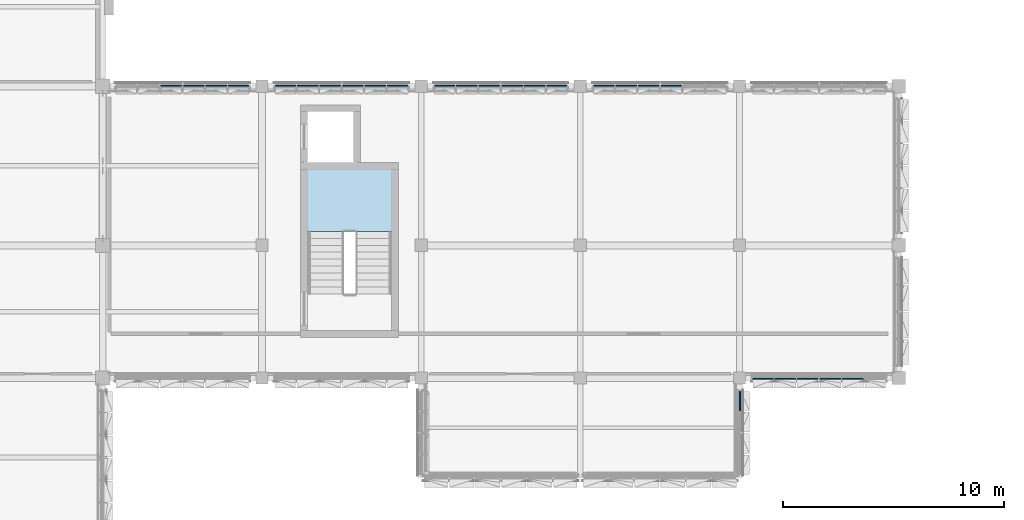
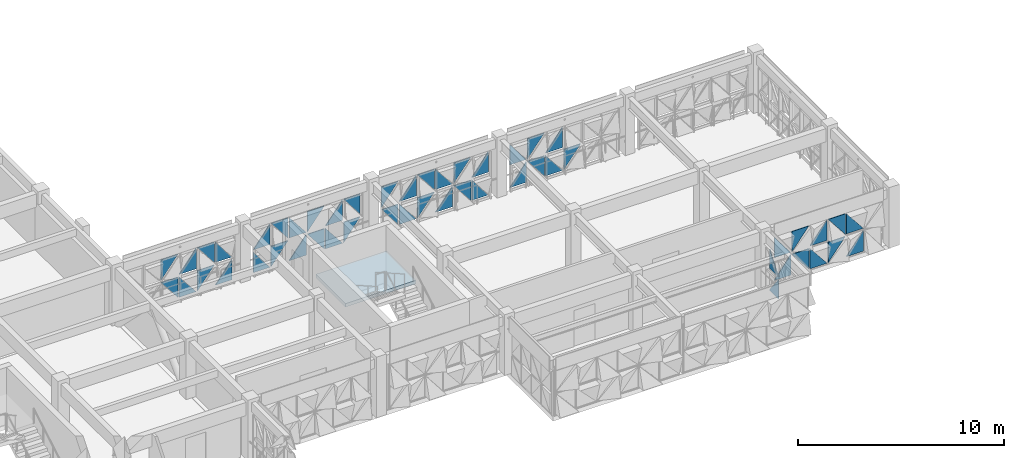
# One storey, part 36 of 85: 51 plates, 1 slab, 7 elements without a shape of their own.
"""IFC4 building model written with IfcOpenShell, lengths in metres."""

from ifc_helpers import new_model, si_unit, direction, frame, origin, place, context, subcontext, project, spatial, polyline, outline, extrude, material, layer, layer_set, type_object, element, aggregate, save


model = new_model("IFC4")

# Units and contexts
model_context = context("Model", 3, precision=1e-05, world=origin(), true_north=direction((0.0, 1.0)))
body_context = subcontext(model_context, "Body", "Model", "MODEL_VIEW")
ifc_project = project(units=[si_unit("LENGTHUNIT", "METRE"), si_unit("AREAUNIT", "SQUARE_METRE"), si_unit("VOLUMEUNIT", "CUBIC_METRE"), si_unit("PLANEANGLEUNIT", "RADIAN"), si_unit("MASSUNIT", "GRAM", prefix="KILO")], contexts=[model_context])

# Site, building, storey
site_placement = place(None, origin())
site = spatial("IfcSite", under=ifc_project, at=site_placement, CompositionType="ELEMENT")
building_placement = place(site_placement, origin())
building = spatial("IfcBuilding", under=site, at=building_placement, Name="Alvorim Cloister Faculty of Sciences", CompositionType="ELEMENT")
storey_placement = place(building_placement, frame((0.0, 0.0, 8.550048828125)))
storey = spatial("IfcBuildingStorey", under=building, at=storey_placement, Name="L02", CompositionType="ELEMENT", Elevation=8.550048828125)

# Curtain wall, plates
ifc_material_1 = material(Name="Aluminium and Low-E Glass Curtain Wall", Category="aluminium")
curtain_wall_type_1 = type_object("IfcCurtainWallType", Name="CW-TRI-6120x2850", PredefinedType="USERDEFINED", material=ifc_material_1)
curtain_wall_1_placement = place(storey_placement, origin())
curtain_wall_1 = element("IfcCurtainWall", 1, at=curtain_wall_1_placement, inside=storey, type_object=curtain_wall_type_1, Name="L02 Diagonal Cassette Curtain Wall CW-0056", ObjectType="UNITISED CURTAIN WALL", PredefinedType="USERDEFINED")
ifc_material_2 = material(Name="Double Low-E Laminated Glass", Category="glass")
ifc_layer_1 = layer(ifc_material_2, 0.0400390625)
ifc_layer_set_1 = layer_set([ifc_layer_1], Name="Double Low-E Laminated Glass")
plate_type = type_object("IfcPlateType", Name="PN-GLZ-40", PredefinedType="CURTAIN_PANEL", material=ifc_layer_set_1)
plate_1_placement = place(storey_placement, frame((31.41259765625, 56.425048828125, 0.139892578125), z_axis=(0.0, 0.0, 1.0), x_axis=(1.0, 0.0, 0.0)))
plate_1 = element("IfcPlate", 2, at=plate_1_placement, type_object=plate_type, Name="Diagonal Glazed Triangle TRI-TR", PredefinedType="CURTAIN_PANEL", context=body_context, shape_type="SweptSolid", body=[
    extrude(outline(polyline([(0.955078125, 0.001953125), (0.955078125, 1.215087890625), (0.001953125, 1.215087890625), (0.955078125, 0.001953125)])), frame((0.0, 0.02490234375, 0.0), z_axis=(0.0, -1.0, 0.0), x_axis=(1.0, 0.0, 0.0)), (0.0, 0.0, 1.0), 0.050048828125),
])
plate_2_placement = place(storey_placement, frame((31.41259765625, 56.425048828125, 1.494873046875), z_axis=(0.0, 0.0, 1.0), x_axis=(1.0, 0.0, 0.0)))
plate_2 = element("IfcPlate", 3, at=plate_2_placement, type_object=plate_type, Name="Diagonal Glazed Triangle TRI-TL", PredefinedType="CURTAIN_PANEL", context=body_context, shape_type="SweptSolid", body=[
    extrude(outline(polyline([(0.953125, 1.215087890625), (0.0, 1.215087890625), (0.0, 0.001953125), (0.953125, 1.215087890625)])), frame((0.0, 0.02490234375, 0.0), z_axis=(0.0, -1.0, 0.0), x_axis=(1.0, 0.0, 0.0)), (0.0, 0.0, 1.0), 0.050048828125),
])
plate_3_placement = place(storey_placement, frame((32.4326171875, 56.425048828125, 0.139892578125), z_axis=(0.0, 0.0, 1.0), x_axis=(1.0, 0.0, 0.0)))
plate_3 = element("IfcPlate", 4, at=plate_3_placement, type_object=plate_type, Name="Diagonal Glazed Triangle TRI-BL", PredefinedType="CURTAIN_PANEL", context=body_context, shape_type="SweptSolid", body=[
    extrude(outline(polyline([(0.0, 0.0), (0.953125, 0.0), (0.0, 1.213134765625), (0.0, 0.0)])), frame((0.0, 0.02490234375, 0.0), z_axis=(0.0, -1.0, 0.0), x_axis=(1.0, 0.0, 0.0)), (0.0, 0.0, 1.0), 0.050048828125),
])
plate_4_placement = place(storey_placement, frame((32.4326171875, 56.425048828125, 1.494873046875), z_axis=(0.0, 0.0, 1.0), x_axis=(1.0, 0.0, 0.0)))
plate_4 = element("IfcPlate", 5, at=plate_4_placement, type_object=plate_type, Name="Diagonal Glazed Triangle TRI-BR", PredefinedType="CURTAIN_PANEL", context=body_context, shape_type="SweptSolid", body=[
    extrude(outline(polyline([(0.001953125, 0.0), (0.955078125, 0.0), (0.955078125, 1.213134765625), (0.001953125, 0.0)])), frame((0.0, 0.02490234375, 0.0), z_axis=(0.0, -1.0, 0.0), x_axis=(1.0, 0.0, 0.0)), (0.0, 0.0, 1.0), 0.050048828125),
])
plate_5_placement = place(storey_placement, frame((33.452392578125, 56.425048828125, 0.139892578125), z_axis=(0.0, 0.0, 1.0), x_axis=(1.0, 0.0, 0.0)))
plate_5 = element("IfcPlate", 6, at=plate_5_placement, type_object=plate_type, Name="Diagonal Glazed Triangle TRI-TL", PredefinedType="CURTAIN_PANEL", context=body_context, shape_type="SweptSolid", body=[
    extrude(outline(polyline([(0.953125, 1.215087890625), (0.0, 1.215087890625), (0.0, 0.001953125), (0.953125, 1.215087890625)])), frame((0.0, 0.02490234375, 0.0), z_axis=(0.0, -1.0, 0.0), x_axis=(1.0, 0.0, 0.0)), (0.0, 0.0, 1.0), 0.050048828125),
])
plate_6_placement = place(storey_placement, frame((33.452392578125, 56.425048828125, 1.494873046875), z_axis=(0.0, 0.0, 1.0), x_axis=(1.0, 0.0, 0.0)))
plate_6 = element("IfcPlate", 7, at=plate_6_placement, type_object=plate_type, Name="Diagonal Glazed Triangle TRI-TR", PredefinedType="CURTAIN_PANEL", context=body_context, shape_type="SweptSolid", body=[
    extrude(outline(polyline([(0.955078125, 0.001953125), (0.955078125, 1.215087890625), (0.001953125, 1.215087890625), (0.955078125, 0.001953125)])), frame((0.0, 0.02490234375, 0.0), z_axis=(0.0, -1.0, 0.0), x_axis=(1.0, 0.0, 0.0)), (0.0, 0.0, 1.0), 0.050048828125),
])
plate_7_placement = place(storey_placement, frame((34.472412109375, 56.425048828125, 0.139892578125), z_axis=(0.0, 0.0, 1.0), x_axis=(1.0, 0.0, 0.0)))
plate_7 = element("IfcPlate", 8, at=plate_7_placement, type_object=plate_type, Name="Diagonal Glazed Triangle TRI-BR", PredefinedType="CURTAIN_PANEL", context=body_context, shape_type="SweptSolid", body=[
    extrude(outline(polyline([(0.001953125, 0.0), (0.922607421875, 0.0), (0.922607421875, 1.213134765625), (0.001953125, 0.0)])), frame((0.0, 0.02490234375, 0.0), z_axis=(0.0, -1.0, 0.0), x_axis=(1.0, 0.0, 0.0)), (0.0, 0.0, 1.0), 0.050048828125),
])
plate_8_placement = place(storey_placement, frame((34.472412109375, 56.425048828125, 1.494873046875), z_axis=(0.0, 0.0, 1.0), x_axis=(1.0, 0.0, 0.0)))
plate_8 = element("IfcPlate", 9, at=plate_8_placement, type_object=plate_type, Name="Diagonal Glazed Triangle TRI-BL", PredefinedType="CURTAIN_PANEL", context=body_context, shape_type="SweptSolid", body=[
    extrude(outline(polyline([(0.0, 0.0), (0.920654296875, 0.0), (0.0, 1.213134765625), (0.0, 0.0)])), frame((0.0, 0.02490234375, 0.0), z_axis=(0.0, -1.0, 0.0), x_axis=(1.0, 0.0, 0.0)), (0.0, 0.0, 1.0), 0.050048828125),
])
aggregate(curtain_wall_1, [plate_1, plate_2, plate_3, plate_4, plate_5, plate_6, plate_7, plate_8])

curtain_wall_2_placement = place(storey_placement, origin())
curtain_wall_2 = element("IfcCurtainWall", 10, at=curtain_wall_2_placement, inside=storey, type_object=curtain_wall_type_1, Name="L02 Diagonal Cassette Curtain Wall CW-0057", ObjectType="UNITISED CURTAIN WALL", PredefinedType="USERDEFINED")
plate_9_placement = place(storey_placement, frame((36.60498046875, 56.425048828125, 0.139892578125), z_axis=(0.0, 0.0, 1.0), x_axis=(1.0, 0.0, 0.0)))
plate_9 = element("IfcPlate", 11, at=plate_9_placement, type_object=plate_type, Name="Diagonal Glazed Triangle TRI-BL", PredefinedType="CURTAIN_PANEL", context=body_context, shape_type="SweptSolid", body=[
    extrude(outline(polyline([(0.0, 0.0), (0.920654296875, 0.0), (0.0, 1.213134765625), (0.0, 0.0)])), frame((0.0, 0.02490234375, 0.0), z_axis=(0.0, -1.0, 0.0), x_axis=(1.0, 0.0, 0.0)), (0.0, 0.0, 1.0), 0.050048828125),
])
plate_10_placement = place(storey_placement, frame((36.60498046875, 56.425048828125, 1.494873046875), z_axis=(0.0, 0.0, 1.0), x_axis=(1.0, 0.0, 0.0)))
plate_10 = element("IfcPlate", 12, at=plate_10_placement, type_object=plate_type, Name="Diagonal Glazed Triangle TRI-BR", PredefinedType="CURTAIN_PANEL", context=body_context, shape_type="SweptSolid", body=[
    extrude(outline(polyline([(0.001953125, 0.0), (0.922607421875, 0.0), (0.922607421875, 1.213134765625), (0.001953125, 0.0)])), frame((0.0, 0.02490234375, 0.0), z_axis=(0.0, -1.0, 0.0), x_axis=(1.0, 0.0, 0.0)), (0.0, 0.0, 1.0), 0.050048828125),
])
plate_11_placement = place(storey_placement, frame((37.592529296875, 56.425048828125, 0.139892578125), z_axis=(0.0, 0.0, 1.0), x_axis=(1.0, 0.0, 0.0)))
plate_11 = element("IfcPlate", 13, at=plate_11_placement, type_object=plate_type, Name="Diagonal Glazed Triangle TRI-TL", PredefinedType="CURTAIN_PANEL", context=body_context, shape_type="SweptSolid", body=[
    extrude(outline(polyline([(0.953125, 1.215087890625), (0.0, 1.215087890625), (0.0, 0.001953125), (0.953125, 1.215087890625)])), frame((0.0, 0.02490234375, 0.0), z_axis=(0.0, -1.0, 0.0), x_axis=(1.0, 0.0, 0.0)), (0.0, 0.0, 1.0), 0.050048828125),
])
plate_12_placement = place(storey_placement, frame((37.592529296875, 56.425048828125, 1.494873046875), z_axis=(0.0, 0.0, 1.0), x_axis=(1.0, 0.0, 0.0)))
plate_12 = element("IfcPlate", 14, at=plate_12_placement, type_object=plate_type, Name="Diagonal Glazed Triangle TRI-TR", PredefinedType="CURTAIN_PANEL", context=body_context, shape_type="SweptSolid", body=[
    extrude(outline(polyline([(0.955078125, 0.001953125), (0.955078125, 1.215087890625), (0.001953125, 1.215087890625), (0.955078125, 0.001953125)])), frame((0.0, 0.02490234375, 0.0), z_axis=(0.0, -1.0, 0.0), x_axis=(1.0, 0.0, 0.0)), (0.0, 0.0, 1.0), 0.050048828125),
])
plate_13_placement = place(storey_placement, frame((38.612548828125, 56.425048828125, 0.139892578125), z_axis=(0.0, 0.0, 1.0), x_axis=(1.0, 0.0, 0.0)))
plate_13 = element("IfcPlate", 15, at=plate_13_placement, type_object=plate_type, Name="Diagonal Glazed Triangle TRI-BR", PredefinedType="CURTAIN_PANEL", context=body_context, shape_type="SweptSolid", body=[
    extrude(outline(polyline([(0.001953125, 0.0), (0.955078125, 0.0), (0.955078125, 1.213134765625), (0.001953125, 0.0)])), frame((0.0, 0.02490234375, 0.0), z_axis=(0.0, -1.0, 0.0), x_axis=(1.0, 0.0, 0.0)), (0.0, 0.0, 1.0), 0.050048828125),
])
plate_14_placement = place(storey_placement, frame((38.612548828125, 56.425048828125, 1.494873046875), z_axis=(0.0, 0.0, 1.0), x_axis=(1.0, 0.0, 0.0)))
plate_14 = element("IfcPlate", 16, at=plate_14_placement, type_object=plate_type, Name="Diagonal Glazed Triangle TRI-BL", PredefinedType="CURTAIN_PANEL", context=body_context, shape_type="SweptSolid", body=[
    extrude(outline(polyline([(0.0, 0.0), (0.953125, 0.0), (0.0, 1.213134765625), (0.0, 0.0)])), frame((0.0, 0.02490234375, 0.0), z_axis=(0.0, -1.0, 0.0), x_axis=(1.0, 0.0, 0.0)), (0.0, 0.0, 1.0), 0.050048828125),
])
plate_15_placement = place(storey_placement, frame((39.632568359375, 56.425048828125, 0.139892578125), z_axis=(0.0, 0.0, 1.0), x_axis=(1.0, 0.0, 0.0)))
plate_15 = element("IfcPlate", 17, at=plate_15_placement, type_object=plate_type, Name="Diagonal Glazed Triangle TRI-TR", PredefinedType="CURTAIN_PANEL", context=body_context, shape_type="SweptSolid", body=[
    extrude(outline(polyline([(0.955078125, 0.001953125), (0.955078125, 1.215087890625), (0.001953125, 1.215087890625), (0.955078125, 0.001953125)])), frame((0.0, 0.02490234375, 0.0), z_axis=(0.0, -1.0, 0.0), x_axis=(1.0, 0.0, 0.0)), (0.0, 0.0, 1.0), 0.050048828125),
])
plate_16_placement = place(storey_placement, frame((39.632568359375, 56.425048828125, 1.494873046875), z_axis=(0.0, 0.0, 1.0), x_axis=(1.0, 0.0, 0.0)))
plate_16 = element("IfcPlate", 18, at=plate_16_placement, type_object=plate_type, Name="Diagonal Glazed Triangle TRI-TL", PredefinedType="CURTAIN_PANEL", context=body_context, shape_type="SweptSolid", body=[
    extrude(outline(polyline([(0.953125, 1.215087890625), (0.0, 1.215087890625), (0.0, 0.001953125), (0.953125, 1.215087890625)])), frame((0.0, 0.02490234375, 0.0), z_axis=(0.0, -1.0, 0.0), x_axis=(1.0, 0.0, 0.0)), (0.0, 0.0, 1.0), 0.050048828125),
])
plate_17_placement = place(storey_placement, frame((40.652587890625, 56.425048828125, 0.139892578125), z_axis=(0.0, 0.0, 1.0), x_axis=(1.0, 0.0, 0.0)))
plate_17 = element("IfcPlate", 19, at=plate_17_placement, type_object=plate_type, Name="Diagonal Glazed Triangle TRI-BL", PredefinedType="CURTAIN_PANEL", context=body_context, shape_type="SweptSolid", body=[
    extrude(outline(polyline([(0.0, 0.0), (0.953125, 0.0), (0.0, 1.213134765625), (0.0, 0.0)])), frame((0.0, 0.02490234375, 0.0), z_axis=(0.0, -1.0, 0.0), x_axis=(1.0, 0.0, 0.0)), (0.0, 0.0, 1.0), 0.050048828125),
])
plate_18_placement = place(storey_placement, frame((40.652587890625, 56.425048828125, 1.494873046875), z_axis=(0.0, 0.0, 1.0), x_axis=(1.0, 0.0, 0.0)))
plate_18 = element("IfcPlate", 20, at=plate_18_placement, type_object=plate_type, Name="Diagonal Glazed Triangle TRI-BR", PredefinedType="CURTAIN_PANEL", context=body_context, shape_type="SweptSolid", body=[
    extrude(outline(polyline([(0.001953125, 0.0), (0.955078125, 0.0), (0.955078125, 1.213134765625), (0.001953125, 0.0)])), frame((0.0, 0.02490234375, 0.0), z_axis=(0.0, -1.0, 0.0), x_axis=(1.0, 0.0, 0.0)), (0.0, 0.0, 1.0), 0.050048828125),
])
plate_19_placement = place(storey_placement, frame((41.672607421875, 56.425048828125, 0.139892578125), z_axis=(0.0, 0.0, 1.0), x_axis=(1.0, 0.0, 0.0)))
plate_19 = element("IfcPlate", 21, at=plate_19_placement, type_object=plate_type, Name="Diagonal Glazed Triangle TRI-TL", PredefinedType="CURTAIN_PANEL", context=body_context, shape_type="SweptSolid", body=[
    extrude(outline(polyline([(0.920654296875, 1.215087890625), (0.0, 1.215087890625), (0.0, 0.001953125), (0.920654296875, 1.215087890625)])), frame((0.0, 0.02490234375, 0.0), z_axis=(0.0, -1.0, 0.0), x_axis=(1.0, 0.0, 0.0)), (0.0, 0.0, 1.0), 0.050048828125),
])
plate_20_placement = place(storey_placement, frame((41.672607421875, 56.425048828125, 1.494873046875), z_axis=(0.0, 0.0, 1.0), x_axis=(1.0, 0.0, 0.0)))
plate_20 = element("IfcPlate", 22, at=plate_20_placement, type_object=plate_type, Name="Diagonal Glazed Triangle TRI-TR", PredefinedType="CURTAIN_PANEL", context=body_context, shape_type="SweptSolid", body=[
    extrude(outline(polyline([(0.922607421875, 0.001953125), (0.922607421875, 1.215087890625), (0.001953125, 1.215087890625), (0.922607421875, 0.001953125)])), frame((0.0, 0.02490234375, 0.0), z_axis=(0.0, -1.0, 0.0), x_axis=(1.0, 0.0, 0.0)), (0.0, 0.0, 1.0), 0.050048828125),
])
aggregate(curtain_wall_2, [plate_9, plate_10, plate_11, plate_12, plate_13, plate_14, plate_15, plate_16, plate_17, plate_18, plate_19, plate_20])

curtain_wall_3_placement = place(storey_placement, origin())
curtain_wall_3 = element("IfcCurtainWall", 23, at=curtain_wall_3_placement, inside=storey, type_object=curtain_wall_type_1, Name="L02 Diagonal Cassette Curtain Wall CW-0058", ObjectType="UNITISED CURTAIN WALL", PredefinedType="USERDEFINED")
plate_21_placement = place(storey_placement, frame((43.804931640625, 56.425048828125, 0.139892578125), z_axis=(0.0, 0.0, 1.0), x_axis=(1.0, 0.0, 0.0)))
plate_21 = element("IfcPlate", 24, at=plate_21_placement, type_object=plate_type, Name="Diagonal Glazed Triangle TRI-TR", PredefinedType="CURTAIN_PANEL", context=body_context, shape_type="SweptSolid", body=[
    extrude(outline(polyline([(0.922607421875, 0.001953125), (0.922607421875, 1.215087890625), (0.001953125, 1.215087890625), (0.922607421875, 0.001953125)])), frame((0.0, 0.02490234375, 0.0), z_axis=(0.0, -1.0, 0.0), x_axis=(1.0, 0.0, 0.0)), (0.0, 0.0, 1.0), 0.050048828125),
])
plate_22_placement = place(storey_placement, frame((43.804931640625, 56.425048828125, 1.494873046875), z_axis=(0.0, 0.0, 1.0), x_axis=(1.0, 0.0, 0.0)))
plate_22 = element("IfcPlate", 25, at=plate_22_placement, type_object=plate_type, Name="Diagonal Glazed Triangle TRI-TL", PredefinedType="CURTAIN_PANEL", context=body_context, shape_type="SweptSolid", body=[
    extrude(outline(polyline([(0.920654296875, 1.215087890625), (0.0, 1.215087890625), (0.0, 0.001953125), (0.920654296875, 1.215087890625)])), frame((0.0, 0.02490234375, 0.0), z_axis=(0.0, -1.0, 0.0), x_axis=(1.0, 0.0, 0.0)), (0.0, 0.0, 1.0), 0.050048828125),
])
plate_23_placement = place(storey_placement, frame((44.79248046875, 56.425048828125, 0.139892578125), z_axis=(0.0, 0.0, 1.0), x_axis=(1.0, 0.0, 0.0)))
plate_23 = element("IfcPlate", 26, at=plate_23_placement, type_object=plate_type, Name="Diagonal Glazed Triangle TRI-BL", PredefinedType="CURTAIN_PANEL", context=body_context, shape_type="SweptSolid", body=[
    extrude(outline(polyline([(0.0, 0.0), (0.953125, 0.0), (0.0, 1.213134765625), (0.0, 0.0)])), frame((0.0, 0.02490234375, 0.0), z_axis=(0.0, -1.0, 0.0), x_axis=(1.0, 0.0, 0.0)), (0.0, 0.0, 1.0), 0.050048828125),
])
plate_24_placement = place(storey_placement, frame((44.79248046875, 56.425048828125, 1.494873046875), z_axis=(0.0, 0.0, 1.0), x_axis=(1.0, 0.0, 0.0)))
plate_24 = element("IfcPlate", 27, at=plate_24_placement, type_object=plate_type, Name="Diagonal Glazed Triangle TRI-BR", PredefinedType="CURTAIN_PANEL", context=body_context, shape_type="SweptSolid", body=[
    extrude(outline(polyline([(0.001953125, 0.0), (0.955078125, 0.0), (0.955078125, 1.213134765625), (0.001953125, 0.0)])), frame((0.0, 0.02490234375, 0.0), z_axis=(0.0, -1.0, 0.0), x_axis=(1.0, 0.0, 0.0)), (0.0, 0.0, 1.0), 0.050048828125),
])
plate_25_placement = place(storey_placement, frame((45.8125, 56.425048828125, 0.139892578125), z_axis=(0.0, 0.0, 1.0), x_axis=(1.0, 0.0, 0.0)))
plate_25 = element("IfcPlate", 28, at=plate_25_placement, type_object=plate_type, Name="Diagonal Glazed Triangle TRI-TL", PredefinedType="CURTAIN_PANEL", context=body_context, shape_type="SweptSolid", body=[
    extrude(outline(polyline([(0.953125, 1.215087890625), (0.0, 1.215087890625), (0.0, 0.001953125), (0.953125, 1.215087890625)])), frame((0.0, 0.02490234375, 0.0), z_axis=(0.0, -1.0, 0.0), x_axis=(1.0, 0.0, 0.0)), (0.0, 0.0, 1.0), 0.050048828125),
])
plate_26_placement = place(storey_placement, frame((45.8125, 56.425048828125, 1.494873046875), z_axis=(0.0, 0.0, 1.0), x_axis=(1.0, 0.0, 0.0)))
plate_26 = element("IfcPlate", 29, at=plate_26_placement, type_object=plate_type, Name="Diagonal Glazed Triangle TRI-TR", PredefinedType="CURTAIN_PANEL", context=body_context, shape_type="SweptSolid", body=[
    extrude(outline(polyline([(0.955078125, 0.001953125), (0.955078125, 1.215087890625), (0.001953125, 1.215087890625), (0.955078125, 0.001953125)])), frame((0.0, 0.02490234375, 0.0), z_axis=(0.0, -1.0, 0.0), x_axis=(1.0, 0.0, 0.0)), (0.0, 0.0, 1.0), 0.050048828125),
])
plate_27_placement = place(storey_placement, frame((46.83251953125, 56.425048828125, 0.139892578125), z_axis=(0.0, 0.0, 1.0), x_axis=(1.0, 0.0, 0.0)))
plate_27 = element("IfcPlate", 30, at=plate_27_placement, type_object=plate_type, Name="Diagonal Glazed Triangle TRI-BR", PredefinedType="CURTAIN_PANEL", context=body_context, shape_type="SweptSolid", body=[
    extrude(outline(polyline([(0.001953125, 0.0), (0.955078125, 0.0), (0.955078125, 1.213134765625), (0.001953125, 0.0)])), frame((0.0, 0.02490234375, 0.0), z_axis=(0.0, -1.0, 0.0), x_axis=(1.0, 0.0, 0.0)), (0.0, 0.0, 1.0), 0.050048828125),
])
plate_28_placement = place(storey_placement, frame((46.83251953125, 56.425048828125, 1.494873046875), z_axis=(0.0, 0.0, 1.0), x_axis=(1.0, 0.0, 0.0)))
plate_28 = element("IfcPlate", 31, at=plate_28_placement, type_object=plate_type, Name="Diagonal Glazed Triangle TRI-BL", PredefinedType="CURTAIN_PANEL", context=body_context, shape_type="SweptSolid", body=[
    extrude(outline(polyline([(0.0, 0.0), (0.953125, 0.0), (0.0, 1.213134765625), (0.0, 0.0)])), frame((0.0, 0.02490234375, 0.0), z_axis=(0.0, -1.0, 0.0), x_axis=(1.0, 0.0, 0.0)), (0.0, 0.0, 1.0), 0.050048828125),
])
plate_29_placement = place(storey_placement, frame((47.8525390625, 56.425048828125, 0.139892578125), z_axis=(0.0, 0.0, 1.0), x_axis=(1.0, 0.0, 0.0)))
plate_29 = element("IfcPlate", 32, at=plate_29_placement, type_object=plate_type, Name="Diagonal Glazed Triangle TRI-TR", PredefinedType="CURTAIN_PANEL", context=body_context, shape_type="SweptSolid", body=[
    extrude(outline(polyline([(0.955078125, 0.001953125), (0.955078125, 1.215087890625), (0.001953125, 1.215087890625), (0.955078125, 0.001953125)])), frame((0.0, 0.02490234375, 0.0), z_axis=(0.0, -1.0, 0.0), x_axis=(1.0, 0.0, 0.0)), (0.0, 0.0, 1.0), 0.050048828125),
])
plate_30_placement = place(storey_placement, frame((47.8525390625, 56.425048828125, 1.494873046875), z_axis=(0.0, 0.0, 1.0), x_axis=(1.0, 0.0, 0.0)))
plate_30 = element("IfcPlate", 33, at=plate_30_placement, type_object=plate_type, Name="Diagonal Glazed Triangle TRI-TL", PredefinedType="CURTAIN_PANEL", context=body_context, shape_type="SweptSolid", body=[
    extrude(outline(polyline([(0.953125, 1.215087890625), (0.0, 1.215087890625), (0.0, 0.001953125), (0.953125, 1.215087890625)])), frame((0.0, 0.02490234375, 0.0), z_axis=(0.0, -1.0, 0.0), x_axis=(1.0, 0.0, 0.0)), (0.0, 0.0, 1.0), 0.050048828125),
])
plate_31_placement = place(storey_placement, frame((48.87255859375, 56.425048828125, 0.139892578125), z_axis=(0.0, 0.0, 1.0), x_axis=(1.0, 0.0, 0.0)))
plate_31 = element("IfcPlate", 34, at=plate_31_placement, type_object=plate_type, Name="Diagonal Glazed Triangle TRI-BL", PredefinedType="CURTAIN_PANEL", context=body_context, shape_type="SweptSolid", body=[
    extrude(outline(polyline([(0.0, 0.0), (0.920654296875, 0.0), (0.0, 1.213134765625), (0.0, 0.0)])), frame((0.0, 0.02490234375, 0.0), z_axis=(0.0, -1.0, 0.0), x_axis=(1.0, 0.0, 0.0)), (0.0, 0.0, 1.0), 0.050048828125),
])
plate_32_placement = place(storey_placement, frame((48.87255859375, 56.425048828125, 1.494873046875), z_axis=(0.0, 0.0, 1.0), x_axis=(1.0, 0.0, 0.0)))
plate_32 = element("IfcPlate", 35, at=plate_32_placement, type_object=plate_type, Name="Diagonal Glazed Triangle TRI-BR", PredefinedType="CURTAIN_PANEL", context=body_context, shape_type="SweptSolid", body=[
    extrude(outline(polyline([(0.001953125, 0.0), (0.922607421875, 0.0), (0.922607421875, 1.213134765625), (0.001953125, 0.0)])), frame((0.0, 0.02490234375, 0.0), z_axis=(0.0, -1.0, 0.0), x_axis=(1.0, 0.0, 0.0)), (0.0, 0.0, 1.0), 0.050048828125),
])
aggregate(curtain_wall_3, [plate_21, plate_22, plate_23, plate_24, plate_25, plate_26, plate_27, plate_28, plate_29, plate_30, plate_31, plate_32])

curtain_wall_4_placement = place(storey_placement, origin())
curtain_wall_4 = element("IfcCurtainWall", 36, at=curtain_wall_4_placement, inside=storey, type_object=curtain_wall_type_1, Name="L02 Diagonal Cassette Curtain Wall CW-0059", ObjectType="UNITISED CURTAIN WALL", PredefinedType="USERDEFINED")
plate_33_placement = place(storey_placement, frame((51.0048828125, 56.425048828125, 0.139892578125), z_axis=(0.0, 0.0, 1.0), x_axis=(1.0, 0.0, 0.0)))
plate_33 = element("IfcPlate", 37, at=plate_33_placement, type_object=plate_type, Name="Diagonal Glazed Triangle TRI-BR", PredefinedType="CURTAIN_PANEL", context=body_context, shape_type="SweptSolid", body=[
    extrude(outline(polyline([(0.001953125, 0.0), (0.922607421875, 0.0), (0.922607421875, 1.213134765625), (0.001953125, 0.0)])), frame((0.0, 0.02490234375, 0.0), z_axis=(0.0, -1.0, 0.0), x_axis=(1.0, 0.0, 0.0)), (0.0, 0.0, 1.0), 0.050048828125),
])
plate_34_placement = place(storey_placement, frame((51.0048828125, 56.425048828125, 1.494873046875), z_axis=(0.0, 0.0, 1.0), x_axis=(1.0, 0.0, 0.0)))
plate_34 = element("IfcPlate", 38, at=plate_34_placement, type_object=plate_type, Name="Diagonal Glazed Triangle TRI-BL", PredefinedType="CURTAIN_PANEL", context=body_context, shape_type="SweptSolid", body=[
    extrude(outline(polyline([(0.0, 0.0), (0.920654296875, 0.0), (0.0, 1.213134765625), (0.0, 0.0)])), frame((0.0, 0.02490234375, 0.0), z_axis=(0.0, -1.0, 0.0), x_axis=(1.0, 0.0, 0.0)), (0.0, 0.0, 1.0), 0.050048828125),
])
plate_35_placement = place(storey_placement, frame((51.992431640625, 56.425048828125, 0.139892578125), z_axis=(0.0, 0.0, 1.0), x_axis=(1.0, 0.0, 0.0)))
plate_35 = element("IfcPlate", 39, at=plate_35_placement, type_object=plate_type, Name="Diagonal Glazed Triangle TRI-TR", PredefinedType="CURTAIN_PANEL", context=body_context, shape_type="SweptSolid", body=[
    extrude(outline(polyline([(0.955078125, 0.001953125), (0.955078125, 1.215087890625), (0.001953125, 1.215087890625), (0.955078125, 0.001953125)])), frame((0.0, 0.02490234375, 0.0), z_axis=(0.0, -1.0, 0.0), x_axis=(1.0, 0.0, 0.0)), (0.0, 0.0, 1.0), 0.050048828125),
])
plate_36_placement = place(storey_placement, frame((51.992431640625, 56.425048828125, 1.494873046875), z_axis=(0.0, 0.0, 1.0), x_axis=(1.0, 0.0, 0.0)))
plate_36 = element("IfcPlate", 40, at=plate_36_placement, type_object=plate_type, Name="Diagonal Glazed Triangle TRI-TL", PredefinedType="CURTAIN_PANEL", context=body_context, shape_type="SweptSolid", body=[
    extrude(outline(polyline([(0.953125, 1.215087890625), (0.0, 1.215087890625), (0.0, 0.001953125), (0.953125, 1.215087890625)])), frame((0.0, 0.02490234375, 0.0), z_axis=(0.0, -1.0, 0.0), x_axis=(1.0, 0.0, 0.0)), (0.0, 0.0, 1.0), 0.050048828125),
])
plate_37_placement = place(storey_placement, frame((53.012451171875, 56.425048828125, 0.139892578125), z_axis=(0.0, 0.0, 1.0), x_axis=(1.0, 0.0, 0.0)))
plate_37 = element("IfcPlate", 41, at=plate_37_placement, type_object=plate_type, Name="Diagonal Glazed Triangle TRI-BL", PredefinedType="CURTAIN_PANEL", context=body_context, shape_type="SweptSolid", body=[
    extrude(outline(polyline([(0.0, 0.0), (0.953125, 0.0), (0.0, 1.213134765625), (0.0, 0.0)])), frame((0.0, 0.02490234375, 0.0), z_axis=(0.0, -1.0, 0.0), x_axis=(1.0, 0.0, 0.0)), (0.0, 0.0, 1.0), 0.050048828125),
])
plate_38_placement = place(storey_placement, frame((53.012451171875, 56.425048828125, 1.494873046875), z_axis=(0.0, 0.0, 1.0), x_axis=(1.0, 0.0, 0.0)))
plate_38 = element("IfcPlate", 42, at=plate_38_placement, type_object=plate_type, Name="Diagonal Glazed Triangle TRI-BR", PredefinedType="CURTAIN_PANEL", context=body_context, shape_type="SweptSolid", body=[
    extrude(outline(polyline([(0.001953125, 0.0), (0.955078125, 0.0), (0.955078125, 1.213134765625), (0.001953125, 0.0)])), frame((0.0, 0.02490234375, 0.0), z_axis=(0.0, -1.0, 0.0), x_axis=(1.0, 0.0, 0.0)), (0.0, 0.0, 1.0), 0.050048828125),
])
plate_39_placement = place(storey_placement, frame((54.032470703125, 56.425048828125, 0.139892578125), z_axis=(0.0, 0.0, 1.0), x_axis=(1.0, 0.0, 0.0)))
plate_39 = element("IfcPlate", 43, at=plate_39_placement, type_object=plate_type, Name="Diagonal Glazed Triangle TRI-TL", PredefinedType="CURTAIN_PANEL", context=body_context, shape_type="SweptSolid", body=[
    extrude(outline(polyline([(0.953125, 1.215087890625), (0.0, 1.215087890625), (0.0, 0.001953125), (0.953125, 1.215087890625)])), frame((0.0, 0.02490234375, 0.0), z_axis=(0.0, -1.0, 0.0), x_axis=(1.0, 0.0, 0.0)), (0.0, 0.0, 1.0), 0.050048828125),
])
aggregate(curtain_wall_4, [plate_33, plate_34, plate_35, plate_36, plate_37, plate_38, plate_39])

curtain_wall_5_placement = place(storey_placement, origin())
curtain_wall_5 = element("IfcCurtainWall", 44, at=curtain_wall_5_placement, inside=storey, type_object=curtain_wall_type_1, Name="L02 Diagonal Cassette Curtain Wall CW-0063", ObjectType="UNITISED CURTAIN WALL", PredefinedType="USERDEFINED")
plate_40_placement = place(storey_placement, frame((58.205078125, 43.175048828125, 0.139892578125), z_axis=(0.0, 0.0, 1.0), x_axis=(1.0, 0.0, 0.0)))
plate_40 = element("IfcPlate", 45, at=plate_40_placement, type_object=plate_type, Name="Diagonal Glazed Triangle TRI-BR", PredefinedType="CURTAIN_PANEL", context=body_context, shape_type="SweptSolid", body=[
    extrude(outline(polyline([(0.001953125, 0.0), (0.922607421875, 0.0), (0.922607421875, 1.213134765625), (0.001953125, 0.0)])), frame((0.0, 0.02490234375, 0.0), z_axis=(0.0, -1.0, 0.0), x_axis=(1.0, 0.0, 0.0)), (0.0, 0.0, 1.0), 0.050048828125),
])
plate_41_placement = place(storey_placement, frame((58.205078125, 43.175048828125, 1.494873046875), z_axis=(0.0, 0.0, 1.0), x_axis=(1.0, 0.0, 0.0)))
plate_41 = element("IfcPlate", 46, at=plate_41_placement, type_object=plate_type, Name="Diagonal Glazed Triangle TRI-BL", PredefinedType="CURTAIN_PANEL", context=body_context, shape_type="SweptSolid", body=[
    extrude(outline(polyline([(0.0, 0.0), (0.920654296875, 0.0), (0.0, 1.213134765625), (0.0, 0.0)])), frame((0.0, 0.02490234375, 0.0), z_axis=(0.0, -1.0, 0.0), x_axis=(1.0, 0.0, 0.0)), (0.0, 0.0, 1.0), 0.050048828125),
])
plate_42_placement = place(storey_placement, frame((59.1923828125, 43.175048828125, 0.139892578125), z_axis=(0.0, 0.0, 1.0), x_axis=(1.0, 0.0, 0.0)))
plate_42 = element("IfcPlate", 47, at=plate_42_placement, type_object=plate_type, Name="Diagonal Glazed Triangle TRI-TR", PredefinedType="CURTAIN_PANEL", context=body_context, shape_type="SweptSolid", body=[
    extrude(outline(polyline([(0.955078125, 0.001953125), (0.955078125, 1.215087890625), (0.001953125, 1.215087890625), (0.955078125, 0.001953125)])), frame((0.0, 0.02490234375, 0.0), z_axis=(0.0, -1.0, 0.0), x_axis=(1.0, 0.0, 0.0)), (0.0, 0.0, 1.0), 0.050048828125),
])
plate_43_placement = place(storey_placement, frame((59.1923828125, 43.175048828125, 1.494873046875), z_axis=(0.0, 0.0, 1.0), x_axis=(1.0, 0.0, 0.0)))
plate_43 = element("IfcPlate", 48, at=plate_43_placement, type_object=plate_type, Name="Diagonal Glazed Triangle TRI-TL", PredefinedType="CURTAIN_PANEL", context=body_context, shape_type="SweptSolid", body=[
    extrude(outline(polyline([(0.953125, 1.215087890625), (0.0, 1.215087890625), (0.0, 0.001953125), (0.953125, 1.215087890625)])), frame((0.0, 0.02490234375, 0.0), z_axis=(0.0, -1.0, 0.0), x_axis=(1.0, 0.0, 0.0)), (0.0, 0.0, 1.0), 0.050048828125),
])
plate_44_placement = place(storey_placement, frame((60.21240234375, 43.175048828125, 0.139892578125), z_axis=(0.0, 0.0, 1.0), x_axis=(1.0, 0.0, 0.0)))
plate_44 = element("IfcPlate", 49, at=plate_44_placement, type_object=plate_type, Name="Diagonal Glazed Triangle TRI-BL", PredefinedType="CURTAIN_PANEL", context=body_context, shape_type="SweptSolid", body=[
    extrude(outline(polyline([(0.0, 0.0), (0.953125, 0.0), (0.0, 1.213134765625), (0.0, 0.0)])), frame((0.0, 0.02490234375, 0.0), z_axis=(0.0, -1.0, 0.0), x_axis=(1.0, 0.0, 0.0)), (0.0, 0.0, 1.0), 0.050048828125),
])
plate_45_placement = place(storey_placement, frame((60.21240234375, 43.175048828125, 1.494873046875), z_axis=(0.0, 0.0, 1.0), x_axis=(1.0, 0.0, 0.0)))
plate_45 = element("IfcPlate", 50, at=plate_45_placement, type_object=plate_type, Name="Diagonal Glazed Triangle TRI-BR", PredefinedType="CURTAIN_PANEL", context=body_context, shape_type="SweptSolid", body=[
    extrude(outline(polyline([(0.001953125, 0.0), (0.955078125, 0.0), (0.955078125, 1.213134765625), (0.001953125, 0.0)])), frame((0.0, 0.02490234375, 0.0), z_axis=(0.0, -1.0, 0.0), x_axis=(1.0, 0.0, 0.0)), (0.0, 0.0, 1.0), 0.050048828125),
])
plate_46_placement = place(storey_placement, frame((61.232421875, 43.175048828125, 0.139892578125), z_axis=(0.0, 0.0, 1.0), x_axis=(1.0, 0.0, 0.0)))
plate_46 = element("IfcPlate", 51, at=plate_46_placement, type_object=plate_type, Name="Diagonal Glazed Triangle TRI-TL", PredefinedType="CURTAIN_PANEL", context=body_context, shape_type="SweptSolid", body=[
    extrude(outline(polyline([(0.953125, 1.215087890625), (0.0, 1.215087890625), (0.0, 0.001953125), (0.953125, 1.215087890625)])), frame((0.0, 0.02490234375, 0.0), z_axis=(0.0, -1.0, 0.0), x_axis=(1.0, 0.0, 0.0)), (0.0, 0.0, 1.0), 0.050048828125),
])
plate_47_placement = place(storey_placement, frame((61.232421875, 43.175048828125, 1.494873046875), z_axis=(0.0, 0.0, 1.0), x_axis=(1.0, 0.0, 0.0)))
plate_47 = element("IfcPlate", 52, at=plate_47_placement, type_object=plate_type, Name="Diagonal Glazed Triangle TRI-TR", PredefinedType="CURTAIN_PANEL", context=body_context, shape_type="SweptSolid", body=[
    extrude(outline(polyline([(0.955078125, 0.001953125), (0.955078125, 1.215087890625), (0.001953125, 1.215087890625), (0.955078125, 0.001953125)])), frame((0.0, 0.02490234375, 0.0), z_axis=(0.0, -1.0, 0.0), x_axis=(1.0, 0.0, 0.0)), (0.0, 0.0, 1.0), 0.050048828125),
])
plate_48_placement = place(storey_placement, frame((62.25244140625, 43.175048828125, 0.139892578125), z_axis=(0.0, 0.0, 1.0), x_axis=(1.0, 0.0, 0.0)))
plate_48 = element("IfcPlate", 53, at=plate_48_placement, type_object=plate_type, Name="Diagonal Glazed Triangle TRI-BR", PredefinedType="CURTAIN_PANEL", context=body_context, shape_type="SweptSolid", body=[
    extrude(outline(polyline([(0.001953125, 0.0), (0.955078125, 0.0), (0.955078125, 1.213134765625), (0.001953125, 0.0)])), frame((0.0, 0.02490234375, 0.0), z_axis=(0.0, -1.0, 0.0), x_axis=(1.0, 0.0, 0.0)), (0.0, 0.0, 1.0), 0.050048828125),
])
plate_49_placement = place(storey_placement, frame((62.25244140625, 43.175048828125, 1.494873046875), z_axis=(0.0, 0.0, 1.0), x_axis=(1.0, 0.0, 0.0)))
plate_49 = element("IfcPlate", 54, at=plate_49_placement, type_object=plate_type, Name="Diagonal Glazed Triangle TRI-BL", PredefinedType="CURTAIN_PANEL", context=body_context, shape_type="SweptSolid", body=[
    extrude(outline(polyline([(0.0, 0.0), (0.953125, 0.0), (0.0, 1.213134765625), (0.0, 0.0)])), frame((0.0, 0.02490234375, 0.0), z_axis=(0.0, -1.0, 0.0), x_axis=(1.0, 0.0, 0.0)), (0.0, 0.0, 1.0), 0.050048828125),
])
aggregate(curtain_wall_5, [plate_40, plate_41, plate_42, plate_43, plate_44, plate_45, plate_46, plate_47, plate_48, plate_49])

curtain_wall_type_2 = type_object("IfcCurtainWallType", Name="CW-TRI-3880x2706", PredefinedType="USERDEFINED", material=ifc_material_1)
curtain_wall_6_placement = place(storey_placement, origin())
curtain_wall_6 = element("IfcCurtainWall", 55, at=curtain_wall_6_placement, inside=storey, type_object=curtain_wall_type_2, Name="L02 Diagonal Cassette Curtain Wall CW-0064", ObjectType="UNITISED CURTAIN WALL", PredefinedType="USERDEFINED")
plate_50_placement = place(storey_placement, frame((57.625, 41.722412109375, 0.139892578125), z_axis=(0.0, 0.0, 1.0), x_axis=(0.0, 1.0, 0.0)))
plate_50 = element("IfcPlate", 56, at=plate_50_placement, type_object=plate_type, Name="Diagonal Glazed Triangle TRI-BL", PredefinedType="CURTAIN_PANEL", context=body_context, shape_type="SweptSolid", body=[
    extrude(outline(polyline([(0.0, 0.0), (0.87060546875, 0.0), (0.0, 1.14111328125), (0.0, 0.0)])), frame((0.0, 0.02490234375, 0.0), z_axis=(0.0, -1.0, 0.0), x_axis=(1.0, 0.0, 0.0)), (0.0, 0.0, 1.0), 0.050048828125),
])
plate_51_placement = place(storey_placement, frame((57.625, 41.722412109375, 1.4228515625), z_axis=(0.0, 0.0, 1.0), x_axis=(0.0, 1.0, 0.0)))
plate_51 = element("IfcPlate", 57, at=plate_51_placement, type_object=plate_type, Name="Diagonal Glazed Triangle TRI-BR", PredefinedType="CURTAIN_PANEL", context=body_context, shape_type="SweptSolid", body=[
    extrude(outline(polyline([(0.001953125, 0.0), (0.87255859375, 0.0), (0.87255859375, 1.14111328125), (0.001953125, 0.0)])), frame((0.0, 0.02490234375, 0.0), z_axis=(0.0, -1.0, 0.0), x_axis=(1.0, 0.0, 0.0)), (0.0, 0.0, 1.0), 0.050048828125),
])
aggregate(curtain_wall_6, [plate_50, plate_51])

# Stair, slab
ifc_material_3 = material(Name="Concrete C40", Category="concrete")
stair_type = type_object("IfcStairType", Name="STR-ST-04-1600x3600", PredefinedType="HALF_TURN_STAIR", material=ifc_material_3)
stair_placement = place(storey_placement, origin())
stair = element("IfcStair", 58, at=stair_placement, inside=storey, type_object=stair_type, Name="L02 Enclosed Smoke-Proof Stair ST-04", PredefinedType="HALF_TURN_STAIR")
ifc_layer_2 = layer(ifc_material_3, 0.199951171875)
ifc_layer_set_2 = layer_set([ifc_layer_2], Name="Concrete C40")
slab_type = type_object("IfcSlabType", Name="SL-LAND-200", PredefinedType="LANDING", material=ifc_layer_set_2)
slab_placement = place(storey_placement, frame((0.0, 0.0, 1.599853515625)))
slab = element("IfcSlab", 59, at=slab_placement, type_object=slab_type, Name="ST-04 landing 1", PredefinedType="LANDING", context=body_context, shape_type="SweptSolid", body=[
    extrude(outline(polyline([(41.93994140625, 49.8349609375), (41.93994140625, 52.719970703125), (37.97998046875, 52.719970703125), (37.97998046875, 49.8349609375), (41.93994140625, 49.8349609375)])), origin(), (0.0, 0.0, 1.0), 0.2001953125),
])
aggregate(stair, [slab])

save(model, "model.ifc")
